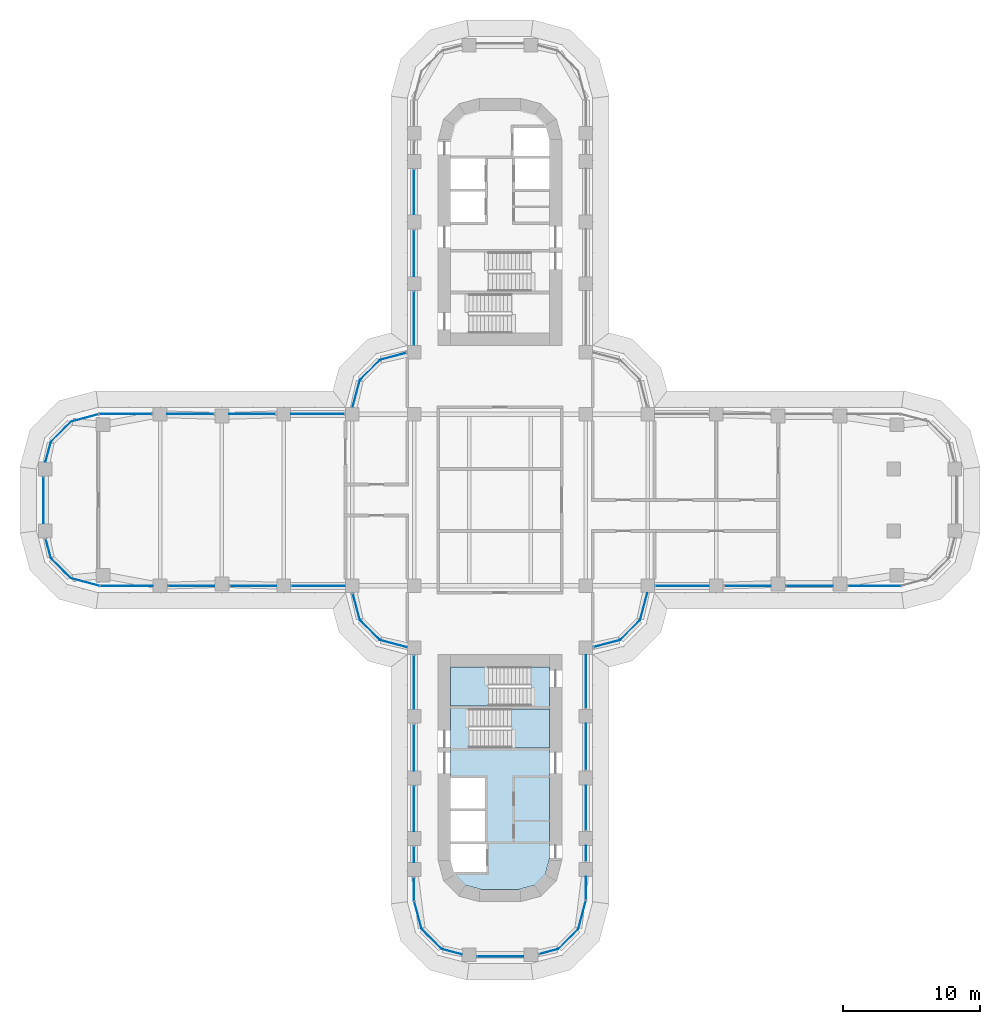
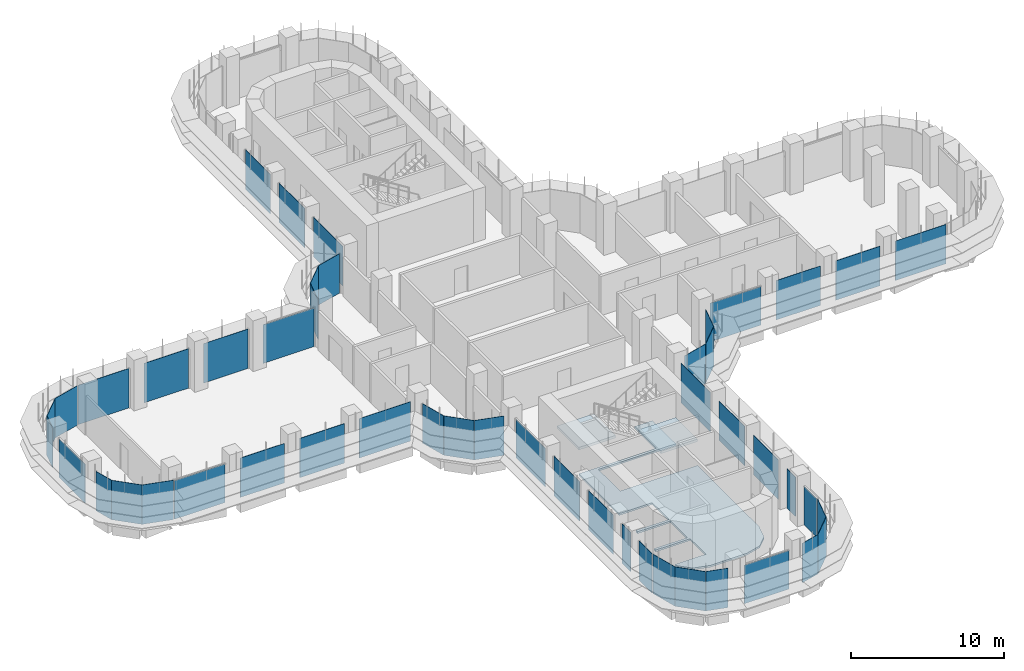
# One storey, part 13 of 23: 48 plates, 3 slabs, 31 elements without a shape of their own.
"""IFC4 building model written with IfcOpenShell, lengths in metres."""

import ifcopenshell
import ifcopenshell.guid

model = None  # the IFC model being written
_history = None  # IfcOwnerHistory: only IFC2X3 demands one
_inside = {}  # id of a spatial element -> (the spatial element, [elements in it])
_under = {}  # id of a project, library or spatial element -> (it, [spatial elements below it])
_declared = {}  # id of a project -> (the project, [libraries it declares])
_typed = {}  # id of a type object -> (the type object, [elements of that type])
_made_of = {}  # id of a material, layer set ... -> (it, [elements and type objects made of it])


def new_model(schema):
    """Start an empty IFC model of exactly this schema.

    Asked for "IFC4X3", IfcOpenShell would pick the latest addendum, in which some entities
    have other attributes; the version numbers below select the first issue.
    IFC2X3 requires an IfcOwnerHistory on every rooted entity: one is made here for all.
    """
    global model, _history
    if schema == "IFC4X3":
        model = ifcopenshell.file(schema_version=(4, 3, 0, 0))
    else:
        model = ifcopenshell.file(schema=schema)
    _inside.clear()
    _under.clear()
    _declared.clear()
    _typed.clear()
    _made_of.clear()
    _history = None
    if model.schema == "IFC2X3":
        org = make("IfcOrganization", Name="unknown")
        user = make(
            "IfcPersonAndOrganization",
            ThePerson=make("IfcPerson", FamilyName="unknown"),
            TheOrganization=org,
        )
        app = make(
            "IfcApplication",
            ApplicationDeveloper=org,
            Version="unknown",
            ApplicationFullName="unknown",
            ApplicationIdentifier="unknown",
        )
        _history = make(
            "IfcOwnerHistory",
            OwningUser=user,
            OwningApplication=app,
            ChangeAction="ADDED",
            CreationDate=0,
        )
    return model


def make(cls, **values):
    """One entity of the class cls with the attributes given. An attribute that is None is left unset."""
    return model.create_entity(
        cls, **{name: value for name, value in values.items() if value is not None}
    )


def rooted(cls, **values):
    """An entity with a GlobalId (a new one), such as an element, a storey or a relation."""
    return make(cls, GlobalId=ifcopenshell.guid.new(), OwnerHistory=_history, **values)


def si_unit(unit_type, name, prefix=None):
    """IfcSIUnit, for example si_unit("LENGTHUNIT", "METRE", prefix="MILLI")."""
    return make("IfcSIUnit", UnitType=unit_type, Prefix=prefix, Name=name)


def assignment(units):
    """IfcUnitAssignment: the units of a project."""
    return None if units is None else make("IfcUnitAssignment", Units=units)


def point(xyz):
    """IfcCartesianPoint."""
    return None if xyz is None else make("IfcCartesianPoint", Coordinates=xyz)


def direction(xyz):
    """IfcDirection."""
    return None if xyz is None else make("IfcDirection", DirectionRatios=xyz)


def frame(location, z_axis=None, x_axis=None):
    """IfcAxis2Placement3D, a coordinate frame: its origin and axes. An axis left out is left unset."""
    return make(
        "IfcAxis2Placement3D",
        Location=point(location),
        Axis=direction(z_axis),
        RefDirection=direction(x_axis),
    )


def origin():
    """The frame at (0, 0, 0) with its axes left unset."""
    return frame((0.0, 0.0, 0.0))


def place(relative_to, where):
    """IfcLocalPlacement: puts the frame where relative to a parent placement (None: the world)."""
    return make(
        "IfcLocalPlacement", PlacementRelTo=relative_to, RelativePlacement=where
    )


def context(
    kind, dimensions, precision=None, world=None, true_north=None, identifier=None
):
    """IfcGeometricRepresentationContext, for example the 3D "Model" context."""
    return make(
        "IfcGeometricRepresentationContext",
        ContextIdentifier=identifier,
        ContextType=kind,
        CoordinateSpaceDimension=dimensions,
        Precision=precision,
        WorldCoordinateSystem=world,
        TrueNorth=true_north,
    )


def subcontext(parent, identifier, kind, view, scale=None):
    """IfcGeometricRepresentationSubContext, for example "Body" below "Model"."""
    return make(
        "IfcGeometricRepresentationSubContext",
        ContextIdentifier=identifier,
        ContextType=kind,
        ParentContext=parent,
        TargetScale=scale,
        TargetView=view,
    )


def project(units=None, contexts=None):
    """IfcProject with its units and contexts."""
    return rooted(
        "IfcProject",
        Name="project",
        RepresentationContexts=contexts,
        UnitsInContext=assignment(units),
    )


def spatial(cls, under=None, at=None, **own):
    """A site, building, storey or space (cls), placed at a placement, below another one or the project."""
    s = rooted(cls, ObjectPlacement=at, **own)
    if under is not None:
        _under.setdefault(under.id(), (under, []))[1].append(s)
    return s


def polyline(points):
    """IfcPolyline through the points."""
    return make("IfcPolyline", Points=[point(p) for p in points])


def outline(outer, holes=None, kind="AREA"):
    """IfcArbitraryClosedProfileDef: a profile drawn as a closed curve; with holes, ...WithVoids."""
    if holes is None:
        return make("IfcArbitraryClosedProfileDef", ProfileType=kind, OuterCurve=outer)
    return make(
        "IfcArbitraryProfileDefWithVoids",
        ProfileType=kind,
        OuterCurve=outer,
        InnerCurves=holes,
    )


def extrude(swept, where, along, depth):
    """IfcExtrudedAreaSolid: the profile swept, set in the frame where, extruded along a direction by depth."""
    return make(
        "IfcExtrudedAreaSolid",
        SweptArea=swept,
        Position=where,
        ExtrudedDirection=direction(along),
        Depth=depth,
    )


def shape(context_of_items, identifier, shape_type, items):
    """IfcShapeRepresentation: the items that make up one representation, for example the "Body"."""
    return make(
        "IfcShapeRepresentation",
        ContextOfItems=context_of_items,
        RepresentationIdentifier=identifier,
        RepresentationType=shape_type,
        Items=items,
    )


def source(mapping_origin, context_of_items, identifier, shape_type, items):
    """IfcRepresentationMap: a shape defined once, which mapped items show again and again."""
    return make(
        "IfcRepresentationMap",
        MappingOrigin=mapping_origin,
        MappedRepresentation=shape(context_of_items, identifier, shape_type, items),
    )


def transform(
    local_origin,
    x_axis=None,
    y_axis=None,
    z_axis=None,
    scale=None,
    scale2=None,
    scale3=None,
    uniform=True,
):
    """IfcCartesianTransformationOperator3D, or its non-uniform kind. x_axis, y_axis, z_axis: its Axis1, 2, 3."""
    if uniform:
        return make(
            "IfcCartesianTransformationOperator3D",
            Axis1=direction(x_axis),
            Axis2=direction(y_axis),
            LocalOrigin=point(local_origin),
            Scale=scale,
            Axis3=direction(z_axis),
        )
    return make(
        "IfcCartesianTransformationOperator3DnonUniform",
        Axis1=direction(x_axis),
        Axis2=direction(y_axis),
        LocalOrigin=point(local_origin),
        Scale=scale,
        Axis3=direction(z_axis),
        Scale2=scale2,
        Scale3=scale3,
    )


def mapped(mapping_source, mapping_target):
    """IfcMappedItem: shows the shape of a source again, moved by a transform."""
    return make(
        "IfcMappedItem", MappingSource=mapping_source, MappingTarget=mapping_target
    )


def material(Name=None, Category=None):
    """IfcMaterial."""
    return make("IfcMaterial", Name=Name, Category=Category)


def layer(
    of_material, thickness, ventilated=None, Name=None, Category=None, Priority=None
):
    """IfcMaterialLayer: one layer of a wall or slab, of a material (None: an air gap)."""
    return make(
        "IfcMaterialLayer",
        Material=of_material,
        LayerThickness=thickness,
        IsVentilated=ventilated,
        Name=Name,
        Category=Category,
        Priority=Priority,
    )


def layer_set(layers, Name=None):
    """IfcMaterialLayerSet."""
    return make("IfcMaterialLayerSet", MaterialLayers=layers, LayerSetName=Name)


def made_of(thing, what):
    """Note that an element or type object is made of a material, layer set ...; save() writes the relation."""
    if what is not None:
        _made_of.setdefault(what.id(), (what, []))[1].append(thing)
    return thing


def type_object(cls, material=None, **own):
    """A type object (cls), such as IfcWallType, which elements share."""
    return made_of(rooted(cls, **own), material)


def element(
    cls,
    number,
    at=None,
    inside=None,
    cuts=None,
    type_object=None,
    material=None,
    context=None,
    identifier="Body",
    shape_type=None,
    held_by="IfcProductDefinitionShape",
    body=None,
    shapes=None,
    **own,
):
    """One element of the class cls, such as IfcWall. Its Tag is "e" and its number.

    at: its placement. inside: the storey or other place that contains it. cuts: it is an
    opening in that element (IfcRelVoidsElement). A single representation is given by context,
    identifier, shape_type and body (its items); several are given by shapes. held_by: the class
    of the entity that holds the representations. save() writes the other relations.
    """
    e = rooted(cls, Tag="e%d" % number, ObjectPlacement=at, **own)
    if body is not None:
        shapes = [shape(context, identifier, shape_type, body)]
    if shapes is not None:
        e.Representation = make(held_by, Representations=shapes)
    if inside is not None:
        _inside.setdefault(inside.id(), (inside, []))[1].append(e)
    if cuts is not None:
        rooted(
            "IfcRelVoidsElement", RelatingBuildingElement=cuts, RelatedOpeningElement=e
        )
    if type_object is not None:
        _typed.setdefault(type_object.id(), (type_object, []))[1].append(e)
    return made_of(e, material)


def aggregate(whole, parts):
    """IfcRelAggregates: a whole, such as a stair, and the parts it consists of."""
    return rooted("IfcRelAggregates", RelatingObject=whole, RelatedObjects=parts)


def save(model, path):
    """Write the relations noted so far, then the file.

    IfcRelAggregates (storeys below a building ...), IfcRelContainedInSpatialStructure (elements
    in a storey), IfcRelDefinesByType, IfcRelAssociatesMaterial and IfcRelDeclares: one each for
    every whole, place, type object, material and project.
    """
    for whole, parts in _under.values():
        aggregate(whole, parts)
    for where, things in _inside.values():
        rooted(
            "IfcRelContainedInSpatialStructure",
            RelatedElements=things,
            RelatingStructure=where,
        )
    for kind, things in _typed.values():
        rooted("IfcRelDefinesByType", RelatedObjects=things, RelatingType=kind)
    for what, things in _made_of.values():
        rooted("IfcRelAssociatesMaterial", RelatedObjects=things, RelatingMaterial=what)
    for by, libraries in _declared.values():
        rooted("IfcRelDeclares", RelatingContext=by, RelatedDefinitions=libraries)
    model.write(path)


model = new_model("IFC4")

# Units and contexts
model_context = context("Model", 3, precision=1e-05, world=origin(), true_north=direction((0.0, 1.0)))
body_context = subcontext(model_context, "Body", "Model", "MODEL_VIEW")
ifc_project = project(units=[si_unit("LENGTHUNIT", "METRE"), si_unit("AREAUNIT", "SQUARE_METRE"), si_unit("VOLUMEUNIT", "CUBIC_METRE"), si_unit("PLANEANGLEUNIT", "RADIAN"), si_unit("MASSUNIT", "GRAM", prefix="KILO")], contexts=[model_context])

# Site, building, storey
site_placement = place(None, origin())
site = spatial("IfcSite", under=ifc_project, at=site_placement, CompositionType="ELEMENT")
building_placement = place(site_placement, origin())
building = spatial("IfcBuilding", under=site, at=building_placement, Name="Zarbagh Exchange Tower", CompositionType="ELEMENT")
storey_placement = place(building_placement, frame((0.0, 0.0, 73.199951171875)))
storey = spatial("IfcBuildingStorey", under=building, at=storey_placement, Name="L16", CompositionType="ELEMENT", Elevation=73.199951171875)

# Slab
ifc_material_1 = material(Name="Concrete C40/50", Category="concrete")
ifc_layer_1 = layer(ifc_material_1, 0.14990234375)
ifc_layer_set_1 = layer_set([ifc_layer_1], Name="Core floor slab 150 C40/50")
slab_type_1 = type_object("IfcSlabType", Name="Core floor slab 150 C40/50", PredefinedType="FLOOR", material=ifc_layer_set_1)
slab_1_placement = place(storey_placement, frame((0.0, 0.0, -0.14990234375)))
element("IfcSlab", 1, at=slab_1_placement, inside=storey, type_object=slab_type_1, Name="S17 core S", PredefinedType="FLOOR", context=body_context, shape_type="SweptSolid", body=[
    extrude(outline(polyline([(-2.5341796875, -28.041259765625), (-3.291259765625, -27.2841796875), (-3.340576171875, -27.10009765625), (-1.0, -27.10009765625), (-1.0, -25.050048828125), (-3.60009765625, -25.050048828125), (-3.60009765625, -24.85009765625), (-1.10009765625, -24.85009765625), (-1.10009765625, -22.64990234375), (-3.60009765625, -22.64990234375), (-3.60009765625, -22.449951171875), (-1.10009765625, -22.449951171875), (-1.10009765625, -20.25), (-3.60009765625, -20.25), (-3.60009765625, -15.0), (2.25, -15.0), (2.25, -12.14990234375), (3.60009765625, -12.14990234375), (3.60009765625, -15.199951171875), (-2.25, -15.199951171875), (-2.25, -18.050048828125), (3.60009765625, -18.050048828125), (3.60009765625, -26.131591796875), (3.291259765625, -27.2841796875), (2.5341796875, -28.041259765625), (1.381591796875, -28.35009765625), (-1.381591796875, -28.35009765625), (-2.5341796875, -28.041259765625)])), origin(), (0.0, 0.0, 1.0), 0.14990234375),
])

# Stair, slab
stair_type = type_object("IfcStairType", Name="Exit stair two-flight half-turn", PredefinedType="HALF_TURN_STAIR", material=ifc_material_1)
stair_1_placement = place(storey_placement, origin())
stair_1 = element("IfcStair", 2, at=stair_1_placement, inside=storey, type_object=stair_type, Name="exit stair ST3", PredefinedType="HALF_TURN_STAIR")
ifc_layer_2 = layer(ifc_material_1, 0.199951171875)
ifc_layer_set_2 = layer_set([ifc_layer_2], Name="Stair landing 200 mm")
slab_type_2 = type_object("IfcSlabType", Name="Stair landing 200 mm", PredefinedType="LANDING", material=ifc_layer_set_2)
slab_2_placement = place(storey_placement, frame((0.0, 0.0, 1.900146484375)))
slab_2 = element("IfcSlab", 3, at=slab_2_placement, type_object=slab_type_2, Name="ST3 landing 1", PredefinedType="LANDING", context=body_context, shape_type="SweptSolid", body=[
    extrude(outline(polyline([(0.830078125, -18.050048828125), (3.60009765625, -18.050048828125), (3.60009765625, -15.199951171875), (0.830078125, -15.199951171875), (0.830078125, -18.050048828125)])), origin(), (0.0, 0.0, 1.0), 0.199951171875),
])
aggregate(stair_1, [slab_2])

stair_2_placement = place(storey_placement, origin())
stair_2 = element("IfcStair", 4, at=stair_2_placement, inside=storey, type_object=stair_type, Name="exit stair ST4", PredefinedType="HALF_TURN_STAIR")
slab_3_placement = place(storey_placement, frame((0.0, 0.0, 1.900146484375)))
slab_3 = element("IfcSlab", 5, at=slab_3_placement, type_object=slab_type_2, Name="ST4 landing 1", PredefinedType="LANDING", context=body_context, shape_type="SweptSolid", body=[
    extrude(outline(polyline([(-0.830078125, -12.14990234375), (-3.60009765625, -12.14990234375), (-3.60009765625, -15.0), (-0.830078125, -15.0), (-0.830078125, -12.14990234375)])), origin(), (0.0, 0.0, 1.0), 0.199951171875),
])
aggregate(stair_2, [slab_3])

# Curtain wall, plate
ifc_material_2 = material(Name="Anodised aluminium frame and glazing", Category="aluminium")
curtain_wall_type = type_object("IfcCurtainWallType", Name="CWA Ribbon glazing, lower zones", PredefinedType="NOTDEFINED", material=ifc_material_2)
curtain_wall_1_placement = place(storey_placement, origin())
curtain_wall_1 = element("IfcCurtainWall", 6, at=curtain_wall_1_placement, inside=storey, type_object=curtain_wall_type, Name="CWA01 curtain wall", PredefinedType="NOTDEFINED")
ifc_material_3 = material(Name="Low-e double glazed unit, 6+12+6 mm")
ifc_layer_3 = layer(ifc_material_3, 0.028076171875)
ifc_layer_set_3 = layer_set([ifc_layer_3], Name="PAA Glazing panel, Low-e double glazed unit, 6+12+6 mm")
plate_type = type_object("IfcPlateType", Name="PAA Glazing panel, Low-e double glazed unit, 6+12+6 mm", PredefinedType="CURTAIN_PANEL", material=ifc_layer_set_3)
shared_shape_1 = source(origin(), body_context, "Body", "SweptSolid", [
    extrude(outline(polyline([(0.0, -0.013916015625), (1.4423828125, -0.013916015625), (1.4423828125, 0.013916015625), (0.0, 0.013916015625), (0.0, -0.013916015625)])), origin(), (0.0, 0.0, 1.0), 3.14990234375),
])
placement = place(storey_placement, origin())
plate_1 = element("IfcPlate", 7, at=placement, type_object=plate_type, Name="CWA01 glazing panel 1.1", PredefinedType="CURTAIN_PANEL", context=body_context, shape_type="MappedRepresentation", body=[
    mapped(shared_shape_1, transform((2.847900390625, -33.072021484375, 0.0), x_axis=(0.965924289636, 0.258824779902, 0.0), y_axis=(-0.258824779902, 0.965924289636, 0.0), z_axis=(0.0, 0.0, 1.0))),
])
aggregate(curtain_wall_1, [plate_1])

curtain_wall_2_placement = place(storey_placement, origin())
curtain_wall_2 = element("IfcCurtainWall", 8, at=curtain_wall_2_placement, inside=storey, type_object=curtain_wall_type, Name="CWA37 curtain wall", PredefinedType="NOTDEFINED")
plate_2 = element("IfcPlate", 9, at=placement, type_object=plate_type, Name="CWA37 glazing panel 1.1", PredefinedType="CURTAIN_PANEL", context=body_context, shape_type="MappedRepresentation", body=[
    mapped(shared_shape_1, transform((-33.072021484375, -2.847900390625, 0.0), x_axis=(0.258824779902, -0.965924289636, 0.0), y_axis=(0.965924289636, 0.258824779902, 0.0), z_axis=(0.0, 0.0, 1.0))),
])
aggregate(curtain_wall_2, [plate_2])

curtain_wall_3_placement = place(storey_placement, origin())
curtain_wall_3 = element("IfcCurtainWall", 10, at=curtain_wall_3_placement, inside=storey, type_object=curtain_wall_type, Name="CWA02 curtain wall", PredefinedType="NOTDEFINED")
shared_shape_2 = source(origin(), body_context, "Body", "SweptSolid", [
    extrude(outline(polyline([(0.0, -0.013916015625), (2.061279296875, -0.013916015625), (2.061279296875, 0.013916015625), (0.0, 0.013916015625), (0.0, -0.013916015625)])), origin(), (0.0, 0.0, 1.0), 3.14990234375),
])
plate_3 = element("IfcPlate", 11, at=placement, type_object=plate_type, Name="CWA02 glazing panel 1.1", PredefinedType="CURTAIN_PANEL", context=body_context, shape_type="MappedRepresentation", body=[
    mapped(shared_shape_2, transform((4.2412109375, -32.69873046875, 0.0), x_axis=(0.707106781187, 0.707106781187, 0.0), y_axis=(-0.707106781187, 0.707106781187, 0.0), z_axis=(0.0, 0.0, 1.0))),
])
aggregate(curtain_wall_3, [plate_3])

curtain_wall_4_placement = place(storey_placement, origin())
curtain_wall_4 = element("IfcCurtainWall", 12, at=curtain_wall_4_placement, inside=storey, type_object=curtain_wall_type, Name="CWA06 curtain wall", PredefinedType="NOTDEFINED")
plate_4 = element("IfcPlate", 13, at=placement, type_object=plate_type, Name="CWA06 glazing panel 1.1", PredefinedType="CURTAIN_PANEL", context=body_context, shape_type="MappedRepresentation", body=[
    mapped(shared_shape_2, transform((8.7412109375, -10.19873046875, 0.0), x_axis=(0.707106781187, 0.707106781187, 0.0), y_axis=(-0.707106781187, 0.707106781187, 0.0), z_axis=(0.0, 0.0, 1.0))),
])
aggregate(curtain_wall_4, [plate_4])

curtain_wall_5_placement = place(storey_placement, origin())
curtain_wall_5 = element("IfcCurtainWall", 14, at=curtain_wall_5_placement, inside=storey, type_object=curtain_wall_type, Name="CWA30 curtain wall", PredefinedType="NOTDEFINED")
plate_5 = element("IfcPlate", 15, at=placement, type_object=plate_type, Name="CWA30 glazing panel 1.1", PredefinedType="CURTAIN_PANEL", context=body_context, shape_type="MappedRepresentation", body=[
    mapped(shared_shape_2, transform((-8.7412109375, 10.19873046875, 0.0), x_axis=(-0.707106781187, -0.707106781187, 0.0), y_axis=(0.707106781187, -0.707106781187, 0.0), z_axis=(0.0, 0.0, 1.0))),
])
aggregate(curtain_wall_5, [plate_5])

curtain_wall_6_placement = place(storey_placement, origin())
curtain_wall_6 = element("IfcCurtainWall", 16, at=curtain_wall_6_placement, inside=storey, type_object=curtain_wall_type, Name="CWA34 curtain wall", PredefinedType="NOTDEFINED")
plate_6 = element("IfcPlate", 17, at=placement, type_object=plate_type, Name="CWA34 glazing panel 1.1", PredefinedType="CURTAIN_PANEL", context=body_context, shape_type="MappedRepresentation", body=[
    mapped(shared_shape_2, transform((-31.2412109375, 5.69873046875, 0.0), x_axis=(-0.707106781187, -0.707106781187, 0.0), y_axis=(0.707106781187, -0.707106781187, 0.0), z_axis=(0.0, 0.0, 1.0))),
])
aggregate(curtain_wall_6, [plate_6])

curtain_wall_7_placement = place(storey_placement, origin())
curtain_wall_7 = element("IfcCurtainWall", 18, at=curtain_wall_7_placement, inside=storey, type_object=curtain_wall_type, Name="CWA38 curtain wall", PredefinedType="NOTDEFINED")
plate_7 = element("IfcPlate", 19, at=placement, type_object=plate_type, Name="CWA38 glazing panel 1.1", PredefinedType="CURTAIN_PANEL", context=body_context, shape_type="MappedRepresentation", body=[
    mapped(shared_shape_2, transform((-32.69873046875, -4.2412109375, 0.0), x_axis=(0.707106781187, -0.707106781187, 0.0), y_axis=(0.707106781187, 0.707106781187, 0.0), z_axis=(0.0, 0.0, 1.0))),
])
aggregate(curtain_wall_7, [plate_7])

curtain_wall_8_placement = place(storey_placement, origin())
curtain_wall_8 = element("IfcCurtainWall", 20, at=curtain_wall_8_placement, inside=storey, type_object=curtain_wall_type, Name="CWA42 curtain wall", PredefinedType="NOTDEFINED")
plate_8 = element("IfcPlate", 21, at=placement, type_object=plate_type, Name="CWA42 glazing panel 1.1", PredefinedType="CURTAIN_PANEL", context=body_context, shape_type="MappedRepresentation", body=[
    mapped(shared_shape_2, transform((-10.19873046875, -8.7412109375, 0.0), x_axis=(0.707106781187, -0.707106781187, 0.0), y_axis=(0.707106781187, 0.707106781187, 0.0), z_axis=(0.0, 0.0, 1.0))),
])
aggregate(curtain_wall_8, [plate_8])

curtain_wall_9_placement = place(storey_placement, origin())
curtain_wall_9 = element("IfcCurtainWall", 22, at=curtain_wall_9_placement, inside=storey, type_object=curtain_wall_type, Name="CWA46 curtain wall", PredefinedType="NOTDEFINED")
plate_9 = element("IfcPlate", 23, at=placement, type_object=plate_type, Name="CWA46 glazing panel 1.1", PredefinedType="CURTAIN_PANEL", context=body_context, shape_type="MappedRepresentation", body=[
    mapped(shared_shape_2, transform((-5.69873046875, -31.2412109375, 0.0), x_axis=(0.707106781187, -0.707106781187, 0.0), y_axis=(0.707106781187, 0.707106781187, 0.0), z_axis=(0.0, 0.0, 1.0))),
])
aggregate(curtain_wall_9, [plate_9])

curtain_wall_10_placement = place(storey_placement, origin())
curtain_wall_10 = element("IfcCurtainWall", 24, at=curtain_wall_10_placement, inside=storey, type_object=curtain_wall_type, Name="CWA03 curtain wall", PredefinedType="NOTDEFINED")
shared_shape_3 = source(origin(), body_context, "Body", "SweptSolid", [
    extrude(outline(polyline([(0.0, -0.013916015625), (2.129638671875, -0.013916015625), (2.129638671875, 0.013916015625), (0.0, 0.013916015625), (0.0, -0.013916015625)])), origin(), (0.0, 0.0, 1.0), 3.14990234375),
])
plate_10 = element("IfcPlate", 25, at=placement, type_object=plate_type, Name="CWA03 glazing panel 1.1", PredefinedType="CURTAIN_PANEL", context=body_context, shape_type="MappedRepresentation", body=[
    mapped(shared_shape_3, transform((5.69873046875, -31.2412109375, 0.0), x_axis=(0.258824779902, 0.965924289636, 0.0), y_axis=(-0.965924289636, 0.258824779902, 0.0), z_axis=(0.0, 0.0, 1.0))),
])
aggregate(curtain_wall_10, [plate_10])

curtain_wall_11_placement = place(storey_placement, origin())
curtain_wall_11 = element("IfcCurtainWall", 26, at=curtain_wall_11_placement, inside=storey, type_object=curtain_wall_type, Name="CWA39 curtain wall", PredefinedType="NOTDEFINED")
plate_11 = element("IfcPlate", 27, at=placement, type_object=plate_type, Name="CWA39 glazing panel 1.1", PredefinedType="CURTAIN_PANEL", context=body_context, shape_type="MappedRepresentation", body=[
    mapped(shared_shape_3, transform((-31.2412109375, -5.69873046875, 0.0), x_axis=(0.965924289636, -0.258824779902, 0.0), y_axis=(0.258824779902, 0.965924289636, 0.0), z_axis=(0.0, 0.0, 1.0))),
])
aggregate(curtain_wall_11, [plate_11])

# Curtain wall, plates
curtain_wall_12_placement = place(storey_placement, origin())
curtain_wall_12 = element("IfcCurtainWall", 28, at=curtain_wall_12_placement, inside=storey, type_object=curtain_wall_type, Name="CWA04 curtain wall", PredefinedType="NOTDEFINED")
shared_shape_4 = source(origin(), body_context, "Body", "SweptSolid", [
    extrude(outline(polyline([(0.0, -0.013916015625), (1.68408203125, -0.013916015625), (1.68408203125, 0.013916015625), (0.0, 0.013916015625), (0.0, -0.013916015625)])), origin(), (0.0, 0.0, 1.0), 3.090087890625),
])
plate_12 = element("IfcPlate", 29, at=placement, type_object=plate_type, Name="CWA04 glazing panel 1.1", PredefinedType="CURTAIN_PANEL", context=body_context, shape_type="MappedRepresentation", body=[
    mapped(shared_shape_4, transform((6.25, -29.124267578125, 0.0), x_axis=(0.0, 1.0, 0.0), y_axis=(-1.0, 0.0, 0.0), z_axis=(0.0, 0.0, 1.0))),
])
shared_shape_5 = source(origin(), body_context, "Body", "SweptSolid", [
    extrude(outline(polyline([(0.0, -0.013916015625), (1.110107421875, -0.013916015625), (1.110107421875, 0.013916015625), (0.0, 0.013916015625), (0.0, -0.013916015625)])), origin(), (0.0, 0.0, 1.0), 3.14990234375),
])
plate_13 = element("IfcPlate", 30, at=placement, type_object=plate_type, Name="CWA04 glazing panel 2.1", PredefinedType="CURTAIN_PANEL", context=body_context, shape_type="MappedRepresentation", body=[
    mapped(shared_shape_5, transform((6.25, -26.300048828125, 0.0), x_axis=(0.0, 1.0, 0.0), y_axis=(-1.0, 0.0, 0.0), z_axis=(0.0, 0.0, 1.0))),
])

# Curtain wall, plate
curtain_wall_13_placement = place(storey_placement, origin())
curtain_wall_13 = element("IfcCurtainWall", 31, at=curtain_wall_13_placement, inside=storey, type_object=curtain_wall_type, Name="CWA44 curtain wall", PredefinedType="NOTDEFINED")
plate_14 = element("IfcPlate", 32, at=placement, type_object=plate_type, Name="CWA44 glazing panel 4.1", PredefinedType="CURTAIN_PANEL", context=body_context, shape_type="MappedRepresentation", body=[
    mapped(shared_shape_5, transform((-6.25, -25.25, 0.0), x_axis=(0.0, -1.0, 0.0), y_axis=(1.0, 0.0, 0.0), z_axis=(0.0, 0.0, 1.0))),
])

# Plate
shared_shape_6 = source(origin(), body_context, "Body", "SweptSolid", [
    extrude(outline(polyline([(0.0, -0.013916015625), (3.260009765625, -0.013916015625), (3.260009765625, 0.013916015625), (0.0, 0.013916015625), (0.0, -0.013916015625)])), origin(), (0.0, 0.0, 1.0), 3.14990234375),
])
plate_15 = element("IfcPlate", 33, at=placement, type_object=plate_type, Name="CWA04 glazing panel 3.1", PredefinedType="CURTAIN_PANEL", context=body_context, shape_type="MappedRepresentation", body=[
    mapped(shared_shape_6, transform((6.25, -24.050048828125, 0.0), x_axis=(0.0, 1.0, 0.0), y_axis=(-1.0, 0.0, 0.0), z_axis=(0.0, 0.0, 1.0))),
])

# Curtain wall, plate
curtain_wall_14_placement = place(storey_placement, origin())
curtain_wall_14 = element("IfcCurtainWall", 34, at=curtain_wall_14_placement, inside=storey, type_object=curtain_wall_type, Name="CWA28 curtain wall", PredefinedType="NOTDEFINED")
plate_16 = element("IfcPlate", 35, at=placement, type_object=plate_type, Name="CWA28 glazing panel 3.1", PredefinedType="CURTAIN_PANEL", context=body_context, shape_type="MappedRepresentation", body=[
    mapped(shared_shape_6, transform((-6.25, 24.050048828125, 0.0), x_axis=(0.0, -1.0, 0.0), y_axis=(1.0, 0.0, 0.0), z_axis=(0.0, 0.0, 1.0))),
])

# Plate
plate_17 = element("IfcPlate", 36, at=placement, type_object=plate_type, Name="CWA44 glazing panel 3.1", PredefinedType="CURTAIN_PANEL", context=body_context, shape_type="MappedRepresentation", body=[
    mapped(shared_shape_6, transform((-6.25, -20.85009765625, 0.0), x_axis=(0.0, -1.0, 0.0), y_axis=(1.0, 0.0, 0.0), z_axis=(0.0, 0.0, 1.0))),
])

shared_shape_7 = source(origin(), body_context, "Body", "SweptSolid", [
    extrude(outline(polyline([(0.0, -0.013916015625), (3.360107421875, -0.013916015625), (3.360107421875, 0.013916015625), (0.0, 0.013916015625), (0.0, -0.013916015625)])), origin(), (0.0, 0.0, 1.0), 3.14990234375),
])
plate_18 = element("IfcPlate", 37, at=placement, type_object=plate_type, Name="CWA04 glazing panel 4.1", PredefinedType="CURTAIN_PANEL", context=body_context, shape_type="MappedRepresentation", body=[
    mapped(shared_shape_7, transform((6.25, -19.64990234375, 0.0), x_axis=(0.0, 1.0, 0.0), y_axis=(-1.0, 0.0, 0.0), z_axis=(0.0, 0.0, 1.0))),
])

# Curtain wall, plates
curtain_wall_15_placement = place(storey_placement, origin())
curtain_wall_15 = element("IfcCurtainWall", 38, at=curtain_wall_15_placement, inside=storey, type_object=curtain_wall_type, Name="CWA08 curtain wall", PredefinedType="NOTDEFINED")
plate_19 = element("IfcPlate", 39, at=placement, type_object=plate_type, Name="CWA08 glazing panel 2.1", PredefinedType="CURTAIN_PANEL", context=body_context, shape_type="MappedRepresentation", body=[
    mapped(shared_shape_7, transform((16.35009765625, -6.25, 0.0), x_axis=(1.0, 0.0, 0.0), y_axis=(0.0, 1.0, 0.0), z_axis=(0.0, 0.0, 1.0))),
])
plate_20 = element("IfcPlate", 40, at=placement, type_object=plate_type, Name="CWA08 glazing panel 3.1", PredefinedType="CURTAIN_PANEL", context=body_context, shape_type="MappedRepresentation", body=[
    mapped(shared_shape_7, transform((20.85009765625, -6.25, 0.0), x_axis=(1.0, 0.0, 0.0), y_axis=(0.0, 1.0, 0.0), z_axis=(0.0, 0.0, 1.0))),
])

# Plate
plate_21 = element("IfcPlate", 41, at=placement, type_object=plate_type, Name="CWA28 glazing panel 4.1", PredefinedType="CURTAIN_PANEL", context=body_context, shape_type="MappedRepresentation", body=[
    mapped(shared_shape_7, transform((-6.25, 19.64990234375, 0.0), x_axis=(0.0, -1.0, 0.0), y_axis=(1.0, 0.0, 0.0), z_axis=(0.0, 0.0, 1.0))),
])

# Curtain wall, plates
curtain_wall_16_placement = place(storey_placement, origin())
curtain_wall_16 = element("IfcCurtainWall", 42, at=curtain_wall_16_placement, inside=storey, type_object=curtain_wall_type, Name="CWA32 curtain wall", PredefinedType="NOTDEFINED")
plate_22 = element("IfcPlate", 43, at=placement, type_object=plate_type, Name="CWA32 glazing panel 2.1", PredefinedType="CURTAIN_PANEL", context=body_context, shape_type="MappedRepresentation", body=[
    mapped(shared_shape_7, transform((-16.35009765625, 6.25, 0.0), x_axis=(-1.0, 0.0, 0.0), y_axis=(0.0, -1.0, 0.0), z_axis=(0.0, 0.0, 1.0))),
])
plate_23 = element("IfcPlate", 44, at=placement, type_object=plate_type, Name="CWA32 glazing panel 3.1", PredefinedType="CURTAIN_PANEL", context=body_context, shape_type="MappedRepresentation", body=[
    mapped(shared_shape_7, transform((-20.85009765625, 6.25, 0.0), x_axis=(-1.0, 0.0, 0.0), y_axis=(0.0, -1.0, 0.0), z_axis=(0.0, 0.0, 1.0))),
])

curtain_wall_17_placement = place(storey_placement, origin())
curtain_wall_17 = element("IfcCurtainWall", 45, at=curtain_wall_17_placement, inside=storey, type_object=curtain_wall_type, Name="CWA40 curtain wall", PredefinedType="NOTDEFINED")
plate_24 = element("IfcPlate", 46, at=placement, type_object=plate_type, Name="CWA40 glazing panel 2.1", PredefinedType="CURTAIN_PANEL", context=body_context, shape_type="MappedRepresentation", body=[
    mapped(shared_shape_7, transform((-24.14990234375, -6.25, 0.0), x_axis=(1.0, 0.0, 0.0), y_axis=(0.0, 1.0, 0.0), z_axis=(0.0, 0.0, 1.0))),
])
plate_25 = element("IfcPlate", 47, at=placement, type_object=plate_type, Name="CWA40 glazing panel 3.1", PredefinedType="CURTAIN_PANEL", context=body_context, shape_type="MappedRepresentation", body=[
    mapped(shared_shape_7, transform((-19.64990234375, -6.25, 0.0), x_axis=(1.0, 0.0, 0.0), y_axis=(0.0, 1.0, 0.0), z_axis=(0.0, 0.0, 1.0))),
])

# Plate
plate_26 = element("IfcPlate", 48, at=placement, type_object=plate_type, Name="CWA44 glazing panel 2.1", PredefinedType="CURTAIN_PANEL", context=body_context, shape_type="MappedRepresentation", body=[
    mapped(shared_shape_7, transform((-6.25, -16.35009765625, 0.0), x_axis=(0.0, -1.0, 0.0), y_axis=(1.0, 0.0, 0.0), z_axis=(0.0, 0.0, 1.0))),
])

# Curtain wall, plate
curtain_wall_18_placement = place(storey_placement, origin())
curtain_wall_18 = element("IfcCurtainWall", 49, at=curtain_wall_18_placement, inside=storey, type_object=curtain_wall_type, Name="CWA05 curtain wall", PredefinedType="NOTDEFINED")
shared_shape_8 = source(origin(), body_context, "Body", "SweptSolid", [
    extrude(outline(polyline([(0.0, -0.013916015625), (1.9599609375, -0.013916015625), (1.9599609375, 0.013916015625), (0.0, 0.013916015625), (0.0, -0.013916015625)])), origin(), (0.0, 0.0, 1.0), 3.14990234375),
])
plate_27 = element("IfcPlate", 50, at=placement, type_object=plate_type, Name="CWA05 glazing panel 1.1", PredefinedType="CURTAIN_PANEL", context=body_context, shape_type="MappedRepresentation", body=[
    mapped(shared_shape_8, transform((6.847900390625, -10.7060546875, 0.0), x_axis=(0.965924289636, 0.258824779902, 0.0), y_axis=(-0.258824779902, 0.965924289636, 0.0), z_axis=(0.0, 0.0, 1.0))),
])
aggregate(curtain_wall_18, [plate_27])

curtain_wall_19_placement = place(storey_placement, origin())
curtain_wall_19 = element("IfcCurtainWall", 51, at=curtain_wall_19_placement, inside=storey, type_object=curtain_wall_type, Name="CWA29 curtain wall", PredefinedType="NOTDEFINED")
plate_28 = element("IfcPlate", 52, at=placement, type_object=plate_type, Name="CWA29 glazing panel 1.1", PredefinedType="CURTAIN_PANEL", context=body_context, shape_type="MappedRepresentation", body=[
    mapped(shared_shape_8, transform((-6.847900390625, 10.7060546875, 0.0), x_axis=(-0.965924289636, -0.258824779902, 0.0), y_axis=(0.258824779902, -0.965924289636, 0.0), z_axis=(0.0, 0.0, 1.0))),
])
aggregate(curtain_wall_19, [plate_28])

curtain_wall_20_placement = place(storey_placement, origin())
curtain_wall_20 = element("IfcCurtainWall", 53, at=curtain_wall_20_placement, inside=storey, type_object=curtain_wall_type, Name="CWA41 curtain wall", PredefinedType="NOTDEFINED")
plate_29 = element("IfcPlate", 54, at=placement, type_object=plate_type, Name="CWA41 glazing panel 1.1", PredefinedType="CURTAIN_PANEL", context=body_context, shape_type="MappedRepresentation", body=[
    mapped(shared_shape_8, transform((-10.7060546875, -6.847900390625, 0.0), x_axis=(0.258824779902, -0.965924289636, 0.0), y_axis=(0.965924289636, 0.258824779902, 0.0), z_axis=(0.0, 0.0, 1.0))),
])
aggregate(curtain_wall_20, [plate_29])

curtain_wall_21_placement = place(storey_placement, origin())
curtain_wall_21 = element("IfcCurtainWall", 55, at=curtain_wall_21_placement, inside=storey, type_object=curtain_wall_type, Name="CWA07 curtain wall", PredefinedType="NOTDEFINED")
shared_shape_9 = source(origin(), body_context, "Body", "SweptSolid", [
    extrude(outline(polyline([(0.0, -0.013916015625), (2.02001953125, -0.013916015625), (2.02001953125, 0.013916015625), (0.0, 0.013916015625), (0.0, -0.013916015625)])), origin(), (0.0, 0.0, 1.0), 3.14990234375),
])
plate_30 = element("IfcPlate", 56, at=placement, type_object=plate_type, Name="CWA07 glazing panel 1.1", PredefinedType="CURTAIN_PANEL", context=body_context, shape_type="MappedRepresentation", body=[
    mapped(shared_shape_9, transform((10.19873046875, -8.7412109375, 0.0), x_axis=(0.258824779902, 0.965924289636, 0.0), y_axis=(-0.965924289636, 0.258824779902, 0.0), z_axis=(0.0, 0.0, 1.0))),
])
aggregate(curtain_wall_21, [plate_30])

curtain_wall_22_placement = place(storey_placement, origin())
curtain_wall_22 = element("IfcCurtainWall", 57, at=curtain_wall_22_placement, inside=storey, type_object=curtain_wall_type, Name="CWA31 curtain wall", PredefinedType="NOTDEFINED")
plate_31 = element("IfcPlate", 58, at=placement, type_object=plate_type, Name="CWA31 glazing panel 1.1", PredefinedType="CURTAIN_PANEL", context=body_context, shape_type="MappedRepresentation", body=[
    mapped(shared_shape_9, transform((-10.19873046875, 8.7412109375, 0.0), x_axis=(-0.258824779902, -0.965924289636, 0.0), y_axis=(0.965924289636, -0.258824779902, 0.0), z_axis=(0.0, 0.0, 1.0))),
])
aggregate(curtain_wall_22, [plate_31])

curtain_wall_23_placement = place(storey_placement, origin())
curtain_wall_23 = element("IfcCurtainWall", 59, at=curtain_wall_23_placement, inside=storey, type_object=curtain_wall_type, Name="CWA43 curtain wall", PredefinedType="NOTDEFINED")
plate_32 = element("IfcPlate", 60, at=placement, type_object=plate_type, Name="CWA43 glazing panel 1.1", PredefinedType="CURTAIN_PANEL", context=body_context, shape_type="MappedRepresentation", body=[
    mapped(shared_shape_9, transform((-8.7412109375, -10.19873046875, 0.0), x_axis=(0.965924289636, -0.258824779902, 0.0), y_axis=(0.258824779902, 0.965924289636, 0.0), z_axis=(0.0, 0.0, 1.0))),
])
aggregate(curtain_wall_23, [plate_32])

# Plate
shared_shape_10 = source(origin(), body_context, "Body", "SweptSolid", [
    extrude(outline(polyline([(0.0, -0.013916015625), (3.860107421875, -0.013916015625), (3.860107421875, 0.013916015625), (0.0, 0.013916015625), (0.0, -0.013916015625)])), origin(), (0.0, 0.0, 1.0), 3.090087890625),
])
plate_33 = element("IfcPlate", 61, at=placement, type_object=plate_type, Name="CWA08 glazing panel 1.1", PredefinedType="CURTAIN_PANEL", context=body_context, shape_type="MappedRepresentation", body=[
    mapped(shared_shape_10, transform((11.35009765625, -6.25, 0.0), x_axis=(1.0, 0.0, 0.0), y_axis=(0.0, 1.0, 0.0), z_axis=(0.0, 0.0, 1.0))),
])

plate_34 = element("IfcPlate", 62, at=placement, type_object=plate_type, Name="CWA32 glazing panel 1.1", PredefinedType="CURTAIN_PANEL", context=body_context, shape_type="MappedRepresentation", body=[
    mapped(shared_shape_10, transform((-11.35009765625, 6.25, 0.0), x_axis=(-1.0, 0.0, 0.0), y_axis=(0.0, -1.0, 0.0), z_axis=(0.0, 0.0, 1.0))),
])

plate_35 = element("IfcPlate", 63, at=placement, type_object=plate_type, Name="CWA44 glazing panel 1.1", PredefinedType="CURTAIN_PANEL", context=body_context, shape_type="MappedRepresentation", body=[
    mapped(shared_shape_10, transform((-6.25, -11.35009765625, 0.0), x_axis=(0.0, -1.0, 0.0), y_axis=(1.0, 0.0, 0.0), z_axis=(0.0, 0.0, 1.0))),
])

shared_shape_11 = source(origin(), body_context, "Body", "SweptSolid", [
    extrude(outline(polyline([(0.0, -0.013916015625), (3.833984375, -0.013916015625), (3.833984375, 0.013916015625), (0.0, 0.013916015625), (0.0, -0.013916015625)])), origin(), (0.0, 0.0, 1.0), 3.14990234375),
])
plate_36 = element("IfcPlate", 64, at=placement, type_object=plate_type, Name="CWA08 glazing panel 4.1", PredefinedType="CURTAIN_PANEL", context=body_context, shape_type="MappedRepresentation", body=[
    mapped(shared_shape_11, transform((25.35009765625, -6.25, 0.0), x_axis=(1.0, 0.0, 0.0), y_axis=(0.0, 1.0, 0.0), z_axis=(0.0, 0.0, 1.0))),
])

aggregate(curtain_wall_15, [plate_33, plate_19, plate_20, plate_36])

plate_37 = element("IfcPlate", 65, at=placement, type_object=plate_type, Name="CWA32 glazing panel 4.1", PredefinedType="CURTAIN_PANEL", context=body_context, shape_type="MappedRepresentation", body=[
    mapped(shared_shape_11, transform((-25.35009765625, 6.25, 0.0), x_axis=(-1.0, 0.0, 0.0), y_axis=(0.0, -1.0, 0.0), z_axis=(0.0, 0.0, 1.0))),
])

aggregate(curtain_wall_16, [plate_34, plate_22, plate_23, plate_37])

# Curtain wall, plate
curtain_wall_24_placement = place(storey_placement, origin())
curtain_wall_24 = element("IfcCurtainWall", 66, at=curtain_wall_24_placement, inside=storey, type_object=curtain_wall_type, Name="CWA33 curtain wall", PredefinedType="NOTDEFINED")
shared_shape_12 = source(origin(), body_context, "Body", "SweptSolid", [
    extrude(outline(polyline([(0.0, -0.013916015625), (2.069580078125, -0.013916015625), (2.069580078125, 0.013916015625), (0.0, 0.013916015625), (0.0, -0.013916015625)])), origin(), (0.0, 0.0, 1.0), 3.14990234375),
])
plate_38 = element("IfcPlate", 67, at=placement, type_object=plate_type, Name="CWA33 glazing panel 1.1", PredefinedType="CURTAIN_PANEL", context=body_context, shape_type="MappedRepresentation", body=[
    mapped(shared_shape_12, transform((-29.2421875, 6.234375, 0.0), x_axis=(-0.965924289636, -0.258824779902, 0.0), y_axis=(0.258824779902, -0.965924289636, 0.0), z_axis=(0.0, 0.0, 1.0))),
])
aggregate(curtain_wall_24, [plate_38])

curtain_wall_25_placement = place(storey_placement, origin())
curtain_wall_25 = element("IfcCurtainWall", 68, at=curtain_wall_25_placement, inside=storey, type_object=curtain_wall_type, Name="CWA45 curtain wall", PredefinedType="NOTDEFINED")
plate_39 = element("IfcPlate", 69, at=placement, type_object=plate_type, Name="CWA45 glazing panel 1.1", PredefinedType="CURTAIN_PANEL", context=body_context, shape_type="MappedRepresentation", body=[
    mapped(shared_shape_12, transform((-6.234375, -29.2421875, 0.0), x_axis=(0.258824779902, -0.965924289636, 0.0), y_axis=(0.965924289636, 0.258824779902, 0.0), z_axis=(0.0, 0.0, 1.0))),
])
aggregate(curtain_wall_25, [plate_39])

curtain_wall_26_placement = place(storey_placement, origin())
curtain_wall_26 = element("IfcCurtainWall", 70, at=curtain_wall_26_placement, inside=storey, type_object=curtain_wall_type, Name="CWA35 curtain wall", PredefinedType="NOTDEFINED")
shared_shape_13 = source(origin(), body_context, "Body", "SweptSolid", [
    extrude(outline(polyline([(0.0, -0.013916015625), (1.50244140625, -0.013916015625), (1.50244140625, 0.013916015625), (0.0, 0.013916015625), (0.0, -0.013916015625)])), origin(), (0.0, 0.0, 1.0), 3.14990234375),
])
plate_40 = element("IfcPlate", 71, at=placement, type_object=plate_type, Name="CWA35 glazing panel 1.1", PredefinedType="CURTAIN_PANEL", context=body_context, shape_type="MappedRepresentation", body=[
    mapped(shared_shape_13, transform((-32.69873046875, 4.2412109375, 0.0), x_axis=(-0.258824779902, -0.965924289636, 0.0), y_axis=(0.965924289636, -0.258824779902, 0.0), z_axis=(0.0, 0.0, 1.0))),
])
aggregate(curtain_wall_26, [plate_40])

curtain_wall_27_placement = place(storey_placement, origin())
curtain_wall_27 = element("IfcCurtainWall", 72, at=curtain_wall_27_placement, inside=storey, type_object=curtain_wall_type, Name="CWA47 curtain wall", PredefinedType="NOTDEFINED")
plate_41 = element("IfcPlate", 73, at=placement, type_object=plate_type, Name="CWA47 glazing panel 1.1", PredefinedType="CURTAIN_PANEL", context=body_context, shape_type="MappedRepresentation", body=[
    mapped(shared_shape_13, transform((-4.2412109375, -32.69873046875, 0.0), x_axis=(0.965924289636, -0.258824779902, 0.0), y_axis=(0.258824779902, 0.965924289636, 0.0), z_axis=(0.0, 0.0, 1.0))),
])
aggregate(curtain_wall_27, [plate_41])

curtain_wall_28_placement = place(storey_placement, origin())
curtain_wall_28 = element("IfcCurtainWall", 74, at=curtain_wall_28_placement, inside=storey, type_object=curtain_wall_type, Name="CWA36 curtain wall", PredefinedType="NOTDEFINED")
shared_shape_14 = source(origin(), body_context, "Body", "SweptSolid", [
    extrude(outline(polyline([(0.0, -0.013916015625), (3.360107421875, -0.013916015625), (3.360107421875, 0.013916015625), (0.0, 0.013916015625), (0.0, -0.013916015625)])), origin(), (0.0, 0.0, 1.0), 3.090087890625),
])
plate_42 = element("IfcPlate", 75, at=placement, type_object=plate_type, Name="CWA36 glazing panel 1.1", PredefinedType="CURTAIN_PANEL", context=body_context, shape_type="MappedRepresentation", body=[
    mapped(shared_shape_14, transform((-33.25, 1.64990234375, 0.0), x_axis=(0.0, -1.0, 0.0), y_axis=(1.0, 0.0, 0.0), z_axis=(0.0, 0.0, 1.0))),
])
aggregate(curtain_wall_28, [plate_42])

curtain_wall_29_placement = place(storey_placement, origin())
curtain_wall_29 = element("IfcCurtainWall", 76, at=curtain_wall_29_placement, inside=storey, type_object=curtain_wall_type, Name="CWA48 curtain wall", PredefinedType="NOTDEFINED")
plate_43 = element("IfcPlate", 77, at=placement, type_object=plate_type, Name="CWA48 glazing panel 1.1", PredefinedType="CURTAIN_PANEL", context=body_context, shape_type="MappedRepresentation", body=[
    mapped(shared_shape_14, transform((-1.64990234375, -33.25, 0.0), x_axis=(1.0, 0.0, 0.0), y_axis=(0.0, 1.0, 0.0), z_axis=(0.0, 0.0, 1.0))),
])
aggregate(curtain_wall_29, [plate_43])

# Plate
shared_shape_15 = source(origin(), body_context, "Body", "SweptSolid", [
    extrude(outline(polyline([(0.0, -0.013916015625), (3.834228515625, -0.013916015625), (3.834228515625, 0.013916015625), (0.0, 0.013916015625), (0.0, -0.013916015625)])), origin(), (0.0, 0.0, 1.0), 3.090087890625),
])
plate_44 = element("IfcPlate", 78, at=placement, type_object=plate_type, Name="CWA40 glazing panel 1.1", PredefinedType="CURTAIN_PANEL", context=body_context, shape_type="MappedRepresentation", body=[
    mapped(shared_shape_15, transform((-29.124267578125, -6.25, 0.0), x_axis=(1.0, 0.0, 0.0), y_axis=(0.0, 1.0, 0.0), z_axis=(0.0, 0.0, 1.0))),
])

shared_shape_16 = source(origin(), body_context, "Body", "SweptSolid", [
    extrude(outline(polyline([(0.0, -0.013916015625), (3.860107421875, -0.013916015625), (3.860107421875, 0.013916015625), (0.0, 0.013916015625), (0.0, -0.013916015625)])), origin(), (0.0, 0.0, 1.0), 3.14990234375),
])
plate_45 = element("IfcPlate", 79, at=placement, type_object=plate_type, Name="CWA04 glazing panel 5.1", PredefinedType="CURTAIN_PANEL", context=body_context, shape_type="MappedRepresentation", body=[
    mapped(shared_shape_16, transform((6.25, -15.14990234375, 0.0), x_axis=(0.0, 1.0, 0.0), y_axis=(-1.0, 0.0, 0.0), z_axis=(0.0, 0.0, 1.0))),
])

aggregate(curtain_wall_12, [plate_12, plate_13, plate_15, plate_18, plate_45])

plate_46 = element("IfcPlate", 80, at=placement, type_object=plate_type, Name="CWA28 glazing panel 5.1", PredefinedType="CURTAIN_PANEL", context=body_context, shape_type="MappedRepresentation", body=[
    mapped(shared_shape_16, transform((-6.25, 15.14990234375, 0.0), x_axis=(0.0, -1.0, 0.0), y_axis=(1.0, 0.0, 0.0), z_axis=(0.0, 0.0, 1.0))),
])

aggregate(curtain_wall_14, [plate_16, plate_21, plate_46])

plate_47 = element("IfcPlate", 81, at=placement, type_object=plate_type, Name="CWA40 glazing panel 4.1", PredefinedType="CURTAIN_PANEL", context=body_context, shape_type="MappedRepresentation", body=[
    mapped(shared_shape_16, transform((-15.14990234375, -6.25, 0.0), x_axis=(1.0, 0.0, 0.0), y_axis=(0.0, 1.0, 0.0), z_axis=(0.0, 0.0, 1.0))),
])

aggregate(curtain_wall_17, [plate_44, plate_24, plate_25, plate_47])

shared_shape_17 = source(origin(), body_context, "Body", "SweptSolid", [
    extrude(outline(polyline([(0.0, -0.013916015625), (1.68408203125, -0.013916015625), (1.68408203125, 0.013916015625), (0.0, 0.013916015625), (0.0, -0.013916015625)])), origin(), (0.0, 0.0, 1.0), 3.14990234375),
])
plate_48 = element("IfcPlate", 82, at=placement, type_object=plate_type, Name="CWA44 glazing panel 5.1", PredefinedType="CURTAIN_PANEL", context=body_context, shape_type="MappedRepresentation", body=[
    mapped(shared_shape_17, transform((-6.25, -27.5, 0.0), x_axis=(0.0, -1.0, 0.0), y_axis=(1.0, 0.0, 0.0), z_axis=(0.0, 0.0, 1.0))),
])

aggregate(curtain_wall_13, [plate_35, plate_26, plate_17, plate_14, plate_48])

save(model, "model.ifc")
